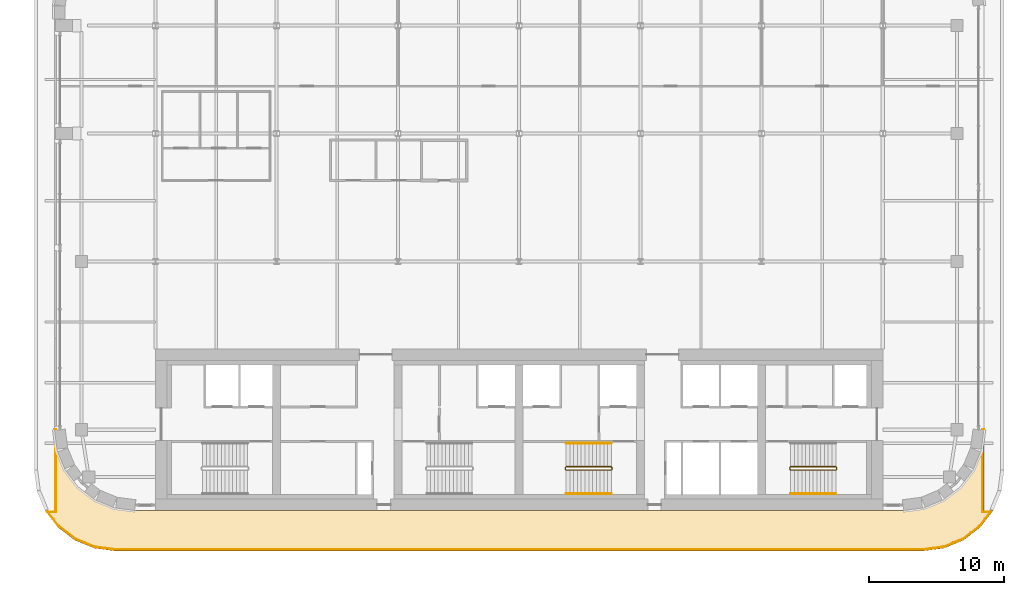
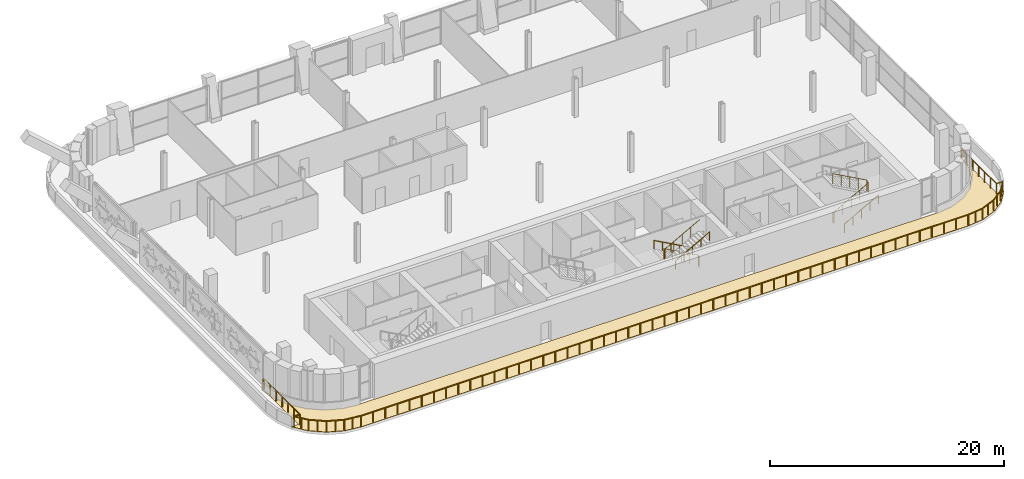
# One storey, part 18 of 23: 6 railings, 1 covering.
"""IFC4 building model written with IfcOpenShell, lengths in metres."""

from ifc_helpers import new_model, si_unit, direction, frame, origin, origin_2d, place, context, subcontext, project, spatial, polyline, circle, outline, extrude, material, layer, layer_set, type_object, element, save


model = new_model("IFC4")

# Units and contexts
model_context = context("Model", 3, precision=1e-05, world=origin(), true_north=direction((0.0, 1.0)))
body_context = subcontext(model_context, "Body", "Model", "MODEL_VIEW")
ifc_project = project(units=[si_unit("LENGTHUNIT", "METRE"), si_unit("AREAUNIT", "SQUARE_METRE"), si_unit("VOLUMEUNIT", "CUBIC_METRE"), si_unit("PLANEANGLEUNIT", "RADIAN"), si_unit("MASSUNIT", "GRAM", prefix="KILO")], contexts=[model_context])

# Site, building, storey
site_placement = place(None, origin())
site = spatial("IfcSite", under=ifc_project, at=site_placement, CompositionType="ELEMENT")
building_placement = place(site_placement, origin())
building = spatial("IfcBuilding", under=site, at=building_placement, Name="Zellij Exchange Tower", CompositionType="ELEMENT")
storey_placement = place(building_placement, frame((0.0, 0.0, 212.5)))
storey = spatial("IfcBuildingStorey", under=building, at=storey_placement, Name="L49", CompositionType="ELEMENT", Elevation=212.5)

# Railings
ifc_material_1 = material(Name="Stainless steel", Category="steel")
railing_type_1 = type_object("IfcRailingType", Name="CORE-RG stair guard", PredefinedType="GUARDRAIL", material=ifc_material_1)
railing_1_placement = place(storey_placement, frame((6.89990234375, -10.800048828125, 0.0)))
element("IfcRailing", 1, at=railing_1_placement, inside=storey, type_object=railing_type_1, Name="ST3 stair guard L49", PredefinedType="GUARDRAIL", context=body_context, shape_type="SweptSolid", body=[
    extrude(circle(Radius=0.02392578125, at=origin_2d()), frame((0.0, 0.0, 1.076171875), z_axis=(0.0, -1.0, 0.0), x_axis=(1.0, 0.0, 0.0)), (0.0, 0.0, 1.0), 0.14990234375),
    extrude(circle(Radius=0.02392578125, at=origin_2d()), frame((0.0, -0.14990234375, 1.076171875), z_axis=(-0.193691321961, 0.777613689637, 0.598164376644), x_axis=(-0.970351222016, -0.241699205484, 0.0)), (0.0, 0.0, 1.0), 0.257080078125),
    extrude(circle(Radius=0.02392578125, at=origin_2d()), frame((-0.0498046875, 0.050048828125, 1.22998046875), z_axis=(-0.876421534553, 0.0, 0.481544695509), x_axis=(0.0, -1.0, 0.0)), (0.0, 0.0, 1.0), 3.833984375),
    extrude(circle(Radius=0.02392578125, at=origin_2d()), frame((-3.409912109375, 0.050048828125, 3.076171875), z_axis=(-0.707106781187, -0.707106781187, 0.0), x_axis=(0.707106781187, -0.707106781187, 0.0)), (0.0, 0.0, 1.0), 0.07080078125),
    extrude(circle(Radius=0.02392578125, at=origin_2d()), frame((-3.4599609375, 0.0, 3.076171875), z_axis=(0.0, -1.0, 0.0), x_axis=(1.0, 0.0, 0.0)), (0.0, 0.0, 1.0), 0.14990234375),
    extrude(circle(Radius=0.02392578125, at=origin_2d()), frame((-3.4599609375, -0.14990234375, 3.076171875), z_axis=(0.295599637079, -0.295599637079, 0.908428152975), x_axis=(0.707106781187, 0.707106781187, 0.0)), (0.0, 0.0, 1.0), 0.16943359375),
    extrude(circle(Radius=0.02392578125, at=origin_2d()), frame((-3.409912109375, -0.199951171875, 3.22998046875), z_axis=(0.876421534553, 0.0, 0.481544695509), x_axis=(0.0, 1.0, 0.0)), (0.0, 0.0, 1.0), 3.833984375),
    extrude(circle(Radius=0.02099609375, at=origin_2d()), origin(), (0.0, 0.0, 1.0), 1.052001953125),
    extrude(circle(Radius=0.02099609375, at=origin_2d()), frame((0.0, -0.14990234375, 0.0)), (0.0, 0.0, 1.0), 1.052001953125),
    extrude(circle(Radius=0.02099609375, at=origin_2d()), frame((-0.0498046875, 0.050048828125, 0.15380859375)), (0.0, 0.0, 1.0), 1.052001953125),
    extrude(circle(Radius=0.02099609375, at=origin_2d()), frame((-0.889892578125, 0.050048828125, 0.615234375)), (0.0, 0.0, 1.0), 1.052001953125),
    extrude(circle(Radius=0.02099609375, at=origin_2d()), frame((-1.72998046875, 0.050048828125, 1.076904296875)), (0.0, 0.0, 1.0), 1.052001953125),
    extrude(circle(Radius=0.02099609375, at=origin_2d()), frame((-2.56982421875, 0.050048828125, 1.53857421875)), (0.0, 0.0, 1.0), 1.052001953125),
    extrude(circle(Radius=0.02099609375, at=origin_2d()), frame((-3.409912109375, 0.050048828125, 2.0)), (0.0, 0.0, 1.0), 1.052001953125),
    extrude(circle(Radius=0.02099609375, at=origin_2d()), frame((-3.4599609375, 0.0, 2.0)), (0.0, 0.0, 1.0), 1.052001953125),
    extrude(circle(Radius=0.02099609375, at=origin_2d()), frame((-3.4599609375, -0.14990234375, 2.0)), (0.0, 0.0, 1.0), 1.052001953125),
    extrude(circle(Radius=0.02099609375, at=origin_2d()), frame((-3.409912109375, -0.199951171875, 2.15380859375)), (0.0, 0.0, 1.0), 1.052001953125),
    extrude(circle(Radius=0.02099609375, at=origin_2d()), frame((-2.56982421875, -0.199951171875, 2.615234375)), (0.0, 0.0, 1.0), 1.052001953125),
    extrude(circle(Radius=0.02099609375, at=origin_2d()), frame((-1.72998046875, -0.199951171875, 3.076904296875)), (0.0, 0.0, 1.0), 1.052001953125),
    extrude(circle(Radius=0.02099609375, at=origin_2d()), frame((-0.889892578125, -0.199951171875, 3.53857421875)), (0.0, 0.0, 1.0), 1.052001953125),
    extrude(circle(Radius=0.02099609375, at=origin_2d()), frame((-0.0498046875, -0.199951171875, 4.0)), (0.0, 0.0, 1.0), 1.052001953125),
])
railing_2_placement = place(storey_placement, frame((20.10009765625, -10.949951171875, 0.0)))
element("IfcRailing", 2, at=railing_2_placement, inside=storey, type_object=railing_type_1, Name="ST4 stair guard L49", PredefinedType="GUARDRAIL", context=body_context, shape_type="SweptSolid", body=[
    extrude(circle(Radius=0.02392578125, at=origin_2d()), frame((0.0, 0.0, 1.076171875), z_axis=(0.0, 1.0, 0.0), x_axis=(-1.0, 0.0, 0.0)), (0.0, 0.0, 1.0), 0.14990234375),
    extrude(circle(Radius=0.02392578125, at=origin_2d()), frame((0.0, 0.14990234375, 1.076171875), z_axis=(0.193691321961, -0.777613689637, 0.598164376644), x_axis=(0.970351222016, 0.241699205484, 0.0)), (0.0, 0.0, 1.0), 0.257080078125),
    extrude(circle(Radius=0.02392578125, at=origin_2d()), frame((0.0498046875, -0.050048828125, 1.22998046875), z_axis=(0.876421534553, 0.0, 0.481544695509), x_axis=(0.0, 1.0, 0.0)), (0.0, 0.0, 1.0), 3.833984375),
    extrude(circle(Radius=0.02392578125, at=origin_2d()), frame((3.409912109375, -0.050048828125, 3.076171875), z_axis=(0.707106781187, 0.707106781187, 0.0), x_axis=(-0.707106781187, 0.707106781187, 0.0)), (0.0, 0.0, 1.0), 0.07080078125),
    extrude(circle(Radius=0.02392578125, at=origin_2d()), frame((3.4599609375, 0.0, 3.076171875), z_axis=(0.0, 1.0, 0.0), x_axis=(-1.0, 0.0, 0.0)), (0.0, 0.0, 1.0), 0.14990234375),
    extrude(circle(Radius=0.02392578125, at=origin_2d()), frame((3.4599609375, 0.14990234375, 3.076171875), z_axis=(-0.295599637079, 0.295599637079, 0.908428152975), x_axis=(-0.707106781187, -0.707106781187, 0.0)), (0.0, 0.0, 1.0), 0.16943359375),
    extrude(circle(Radius=0.02392578125, at=origin_2d()), frame((3.409912109375, 0.199951171875, 3.22998046875), z_axis=(-0.876421534553, 0.0, 0.481544695509), x_axis=(0.0, -1.0, 0.0)), (0.0, 0.0, 1.0), 3.833984375),
    extrude(circle(Radius=0.02099609375, at=origin_2d()), origin(), (0.0, 0.0, 1.0), 1.052001953125),
    extrude(circle(Radius=0.02099609375, at=origin_2d()), frame((0.0, 0.14990234375, 0.0)), (0.0, 0.0, 1.0), 1.052001953125),
    extrude(circle(Radius=0.02099609375, at=origin_2d()), frame((0.0498046875, -0.050048828125, 0.15380859375)), (0.0, 0.0, 1.0), 1.052001953125),
    extrude(circle(Radius=0.02099609375, at=origin_2d()), frame((0.889892578125, -0.050048828125, 0.615234375)), (0.0, 0.0, 1.0), 1.052001953125),
    extrude(circle(Radius=0.02099609375, at=origin_2d()), frame((1.72998046875, -0.050048828125, 1.076904296875)), (0.0, 0.0, 1.0), 1.052001953125),
    extrude(circle(Radius=0.02099609375, at=origin_2d()), frame((2.56982421875, -0.050048828125, 1.53857421875)), (0.0, 0.0, 1.0), 1.052001953125),
    extrude(circle(Radius=0.02099609375, at=origin_2d()), frame((3.409912109375, -0.050048828125, 2.0)), (0.0, 0.0, 1.0), 1.052001953125),
    extrude(circle(Radius=0.02099609375, at=origin_2d()), frame((3.4599609375, 0.0, 2.0)), (0.0, 0.0, 1.0), 1.052001953125),
    extrude(circle(Radius=0.02099609375, at=origin_2d()), frame((3.4599609375, 0.14990234375, 2.0)), (0.0, 0.0, 1.0), 1.052001953125),
    extrude(circle(Radius=0.02099609375, at=origin_2d()), frame((3.409912109375, 0.199951171875, 2.15380859375)), (0.0, 0.0, 1.0), 1.052001953125),
    extrude(circle(Radius=0.02099609375, at=origin_2d()), frame((2.56982421875, 0.199951171875, 2.615234375)), (0.0, 0.0, 1.0), 1.052001953125),
    extrude(circle(Radius=0.02099609375, at=origin_2d()), frame((1.72998046875, 0.199951171875, 3.076904296875)), (0.0, 0.0, 1.0), 1.052001953125),
    extrude(circle(Radius=0.02099609375, at=origin_2d()), frame((0.889892578125, 0.199951171875, 3.53857421875)), (0.0, 0.0, 1.0), 1.052001953125),
    extrude(circle(Radius=0.02099609375, at=origin_2d()), frame((0.0498046875, 0.199951171875, 4.0)), (0.0, 0.0, 1.0), 1.052001953125),
])
railing_type_2 = type_object("IfcRailingType", Name="CORE-RH stair handrail", PredefinedType="HANDRAIL", material=ifc_material_1)
railing_3_placement = place(storey_placement, frame((6.85009765625, -9.0, 0.15380859375)))
element("IfcRailing", 3, at=railing_3_placement, inside=storey, type_object=railing_type_2, Name="ST3 stair handrail L49", PredefinedType="HANDRAIL", context=body_context, shape_type="SweptSolid", body=[
    extrude(circle(Radius=0.02392578125, at=origin_2d()), frame((0.0, 0.0, 0.8759765625), z_axis=(-0.876421534553, 0.0, 0.481544695509), x_axis=(0.0, -1.0, 0.0)), (0.0, 0.0, 1.0), 3.833984375),
    extrude(circle(Radius=0.02099609375, at=origin_2d()), origin(), (0.0, 0.0, 1.0), 0.851806640625),
    extrude(circle(Radius=0.02099609375, at=origin_2d()), frame((-0.840087890625, 0.0, 0.46142578125)), (0.0, 0.0, 1.0), 0.851806640625),
    extrude(circle(Radius=0.02099609375, at=origin_2d()), frame((-1.68017578125, 0.0, 0.923095703125)), (0.0, 0.0, 1.0), 0.851806640625),
    extrude(circle(Radius=0.02099609375, at=origin_2d()), frame((-2.52001953125, 0.0, 1.384765625)), (0.0, 0.0, 1.0), 0.851806640625),
    extrude(circle(Radius=0.02099609375, at=origin_2d()), frame((-3.360107421875, 0.0, 1.84619140625)), (0.0, 0.0, 1.0), 0.851806640625),
])
for number, where, name in (
    (4, (3.489990234375, -12.75, 2.15380859375), "ST3 stair handrail L49"),
    (5, (20.14990234375, -12.75, 0.15380859375), "ST4 stair handrail L49"),
):
    element("IfcRailing", number, at=place(storey_placement, frame(where)), inside=storey, type_object=railing_type_2, Name=name, PredefinedType="HANDRAIL", context=body_context, shape_type="SweptSolid", body=[
        extrude(circle(Radius=0.02392578125, at=origin_2d()), frame((0.0, 0.0, 0.8759765625), z_axis=(0.876421534553, 0.0, 0.481544695509), x_axis=(0.0, 1.0, 0.0)), (0.0, 0.0, 1.0), 3.833984375),
        extrude(circle(Radius=0.02099609375, at=origin_2d()), origin(), (0.0, 0.0, 1.0), 0.851806640625),
        extrude(circle(Radius=0.02099609375, at=origin_2d()), frame((0.840087890625, 0.0, 0.46142578125)), (0.0, 0.0, 1.0), 0.851806640625),
        extrude(circle(Radius=0.02099609375, at=origin_2d()), frame((1.68017578125, 0.0, 0.923095703125)), (0.0, 0.0, 1.0), 0.851806640625),
        extrude(circle(Radius=0.02099609375, at=origin_2d()), frame((2.52001953125, 0.0, 1.384765625)), (0.0, 0.0, 1.0), 0.851806640625),
        extrude(circle(Radius=0.02099609375, at=origin_2d()), frame((3.360107421875, 0.0, 1.84619140625)), (0.0, 0.0, 1.0), 0.851806640625),
    ])
ifc_material_2 = material(Name="Bronze-finished aluminium", Category="aluminium")
railing_type_3 = type_object("IfcRailingType", Name="ENV-GR1 Terrace guard", PredefinedType="GUARDRAIL", material=ifc_material_2)
railing_4_placement = place(storey_placement, frame((-34.5, -8.000732421875, 0.0)))
element("IfcRailing", 6, at=railing_4_placement, inside=storey, type_object=railing_type_3, Name="Terrace guard", PredefinedType="GUARDRAIL", context=body_context, shape_type="SweptSolid", body=[
    extrude(circle(Radius=0.02490234375, at=origin_2d()), frame((0.0, 0.0, 1.0751953125), z_axis=(1.0, 0.0, 0.0), x_axis=(0.0, 1.0, 0.0)), (0.0, 0.0, 1.0), 0.10009765625),
    extrude(circle(Radius=0.02490234375, at=origin_2d()), frame((0.10009765625, 0.0, 1.0751953125), z_axis=(0.0, -1.0, 0.0), x_axis=(1.0, 0.0, 0.0)), (0.0, 0.0, 1.0), 6.099365234375),
    extrude(circle(Radius=0.02490234375, at=origin_2d()), frame((0.10009765625, -6.099365234375, 1.0751953125), z_axis=(-1.0, 0.0, 0.0), x_axis=(0.0, -1.0, 0.0)), (0.0, 0.0, 1.0), 0.593505859375),
    extrude(circle(Radius=0.02490234375, at=origin_2d()), frame((-0.493408203125, -6.099365234375, 1.0751953125), z_axis=(0.608757921377, -0.79335603178, 0.0), x_axis=(0.79335603178, 0.608757921377, 0.0)), (0.0, 0.0, 1.0), 1.350341796875),
    extrude(circle(Radius=0.02490234375, at=origin_2d()), frame((0.32861328125, -7.170654296875, 1.0751953125), z_axis=(0.793330694412, -0.608790940556, 0.0), x_axis=(0.608790940556, 0.793330694412, 0.0)), (0.0, 0.0, 1.0), 1.5400390625),
    extrude(circle(Radius=0.02490234375, at=origin_2d()), frame((1.55029296875, -8.108154296875, 1.0751953125), z_axis=(0.923881586142, -0.382678474425, 0.0), x_axis=(0.382678474425, 0.923881586142, 0.0)), (0.0, 0.0, 1.0), 1.5400390625),
    extrude(circle(Radius=0.02490234375, at=origin_2d()), frame((2.97314453125, -8.697509765625, 1.0751953125), z_axis=(0.991463426777, -0.130385096405, 0.0), x_axis=(0.130385096405, 0.991463426777, 0.0)), (0.0, 0.0, 1.0), 1.546630859375),
    extrude(circle(Radius=0.02490234375, at=origin_2d()), frame((4.506591796875, -8.899169921875, 1.0751953125), z_axis=(1.0, 0.0, 0.0), x_axis=(0.0, 1.0, 0.0)), (0.0, 0.0, 1.0), 59.98681640625),
    extrude(circle(Radius=0.02490234375, at=origin_2d()), frame((64.493408203125, -8.899169921875, 1.0751953125), z_axis=(0.991463426777, 0.130385096405, 0.0), x_axis=(-0.130385096405, 0.991463426777, 0.0)), (0.0, 0.0, 1.0), 1.546630859375),
    extrude(circle(Radius=0.02490234375, at=origin_2d()), frame((66.02685546875, -8.697509765625, 1.0751953125), z_axis=(0.923881586142, 0.382678474425, 0.0), x_axis=(-0.382678474425, 0.923881586142, 0.0)), (0.0, 0.0, 1.0), 1.5400390625),
    extrude(circle(Radius=0.02490234375, at=origin_2d()), frame((67.44970703125, -8.108154296875, 1.0751953125), z_axis=(0.793330694412, 0.608790940556, 0.0), x_axis=(-0.608790940556, 0.793330694412, 0.0)), (0.0, 0.0, 1.0), 1.5400390625),
    extrude(circle(Radius=0.02490234375, at=origin_2d()), frame((68.67138671875, -7.170654296875, 1.0751953125), z_axis=(0.608757921377, 0.79335603178, 0.0), x_axis=(-0.79335603178, 0.608757921377, 0.0)), (0.0, 0.0, 1.0), 1.350341796875),
    extrude(circle(Radius=0.02490234375, at=origin_2d()), frame((69.493408203125, -6.099365234375, 1.0751953125), z_axis=(-1.0, 0.0, 0.0), x_axis=(0.0, -1.0, 0.0)), (0.0, 0.0, 1.0), 0.593505859375),
    extrude(circle(Radius=0.02490234375, at=origin_2d()), frame((68.89990234375, -6.099365234375, 1.0751953125), z_axis=(0.0, 1.0, 0.0), x_axis=(-1.0, 0.0, 0.0)), (0.0, 0.0, 1.0), 6.099365234375),
    extrude(circle(Radius=0.02490234375, at=origin_2d()), frame((68.89990234375, 0.0, 1.0751953125), z_axis=(1.0, 0.0, 0.0), x_axis=(0.0, 1.0, 0.0)), (0.0, 0.0, 1.0), 0.10009765625),
    extrude(circle(Radius=0.030029296875, at=origin_2d()), origin(), (0.0, 0.0, 1.0), 1.050048828125),
    extrude(circle(Radius=0.030029296875, at=origin_2d()), frame((0.10009765625, 0.0, 0.0)), (0.0, 0.0, 1.0), 1.050048828125),
    extrude(circle(Radius=0.030029296875, at=origin_2d()), frame((0.10009765625, -1.0166015625, 0.0)), (0.0, 0.0, 1.0), 1.050048828125),
    extrude(circle(Radius=0.030029296875, at=origin_2d()), frame((0.10009765625, -2.033203125, 0.0)), (0.0, 0.0, 1.0), 1.050048828125),
    extrude(circle(Radius=0.030029296875, at=origin_2d()), frame((0.10009765625, -3.0498046875, 0.0)), (0.0, 0.0, 1.0), 1.050048828125),
    extrude(circle(Radius=0.030029296875, at=origin_2d()), frame((0.10009765625, -4.066162109375, 0.0)), (0.0, 0.0, 1.0), 1.050048828125),
    extrude(circle(Radius=0.030029296875, at=origin_2d()), frame((0.10009765625, -5.082763671875, 0.0)), (0.0, 0.0, 1.0), 1.050048828125),
    extrude(circle(Radius=0.030029296875, at=origin_2d()), frame((0.10009765625, -6.099365234375, 0.0)), (0.0, 0.0, 1.0), 1.050048828125),
    extrude(circle(Radius=0.030029296875, at=origin_2d()), frame((-0.493408203125, -6.099365234375, 0.0)), (0.0, 0.0, 1.0), 1.050048828125),
    extrude(circle(Radius=0.030029296875, at=origin_2d()), frame((-0.08251953125, -6.635009765625, 0.0)), (0.0, 0.0, 1.0), 1.050048828125),
    extrude(circle(Radius=0.030029296875, at=origin_2d()), frame((0.32861328125, -7.170654296875, 0.0)), (0.0, 0.0, 1.0), 1.050048828125),
    extrude(circle(Radius=0.030029296875, at=origin_2d()), frame((0.939453125, -7.639404296875, 0.0)), (0.0, 0.0, 1.0), 1.050048828125),
    extrude(circle(Radius=0.030029296875, at=origin_2d()), frame((1.55029296875, -8.108154296875, 0.0)), (0.0, 0.0, 1.0), 1.050048828125),
    extrude(circle(Radius=0.030029296875, at=origin_2d()), frame((2.26171875, -8.40283203125, 0.0)), (0.0, 0.0, 1.0), 1.050048828125),
    extrude(circle(Radius=0.030029296875, at=origin_2d()), frame((2.97314453125, -8.697509765625, 0.0)), (0.0, 0.0, 1.0), 1.050048828125),
    extrude(circle(Radius=0.030029296875, at=origin_2d()), frame((3.73974609375, -8.79833984375, 0.0)), (0.0, 0.0, 1.0), 1.050048828125),
    extrude(circle(Radius=0.030029296875, at=origin_2d()), frame((4.506591796875, -8.899169921875, 0.0)), (0.0, 0.0, 1.0), 1.050048828125),
    extrude(circle(Radius=0.030029296875, at=origin_2d()), frame((5.706298828125, -8.899169921875, 0.0)), (0.0, 0.0, 1.0), 1.050048828125),
    extrude(circle(Radius=0.030029296875, at=origin_2d()), frame((6.906005859375, -8.899169921875, 0.0)), (0.0, 0.0, 1.0), 1.050048828125),
    extrude(circle(Radius=0.030029296875, at=origin_2d()), frame((8.105712890625, -8.899169921875, 0.0)), (0.0, 0.0, 1.0), 1.050048828125),
    extrude(circle(Radius=0.030029296875, at=origin_2d()), frame((9.305419921875, -8.899169921875, 0.0)), (0.0, 0.0, 1.0), 1.050048828125),
    extrude(circle(Radius=0.030029296875, at=origin_2d()), frame((10.50537109375, -8.899169921875, 0.0)), (0.0, 0.0, 1.0), 1.050048828125),
    extrude(circle(Radius=0.030029296875, at=origin_2d()), frame((11.705078125, -8.899169921875, 0.0)), (0.0, 0.0, 1.0), 1.050048828125),
    extrude(circle(Radius=0.030029296875, at=origin_2d()), frame((12.90478515625, -8.899169921875, 0.0)), (0.0, 0.0, 1.0), 1.050048828125),
    extrude(circle(Radius=0.030029296875, at=origin_2d()), frame((14.1044921875, -8.899169921875, 0.0)), (0.0, 0.0, 1.0), 1.050048828125),
    extrude(circle(Radius=0.030029296875, at=origin_2d()), frame((15.30419921875, -8.899169921875, 0.0)), (0.0, 0.0, 1.0), 1.050048828125),
    extrude(circle(Radius=0.030029296875, at=origin_2d()), frame((16.50390625, -8.899169921875, 0.0)), (0.0, 0.0, 1.0), 1.050048828125),
    extrude(circle(Radius=0.030029296875, at=origin_2d()), frame((17.70361328125, -8.899169921875, 0.0)), (0.0, 0.0, 1.0), 1.050048828125),
    extrude(circle(Radius=0.030029296875, at=origin_2d()), frame((18.9033203125, -8.899169921875, 0.0)), (0.0, 0.0, 1.0), 1.050048828125),
    extrude(circle(Radius=0.030029296875, at=origin_2d()), frame((20.103271484375, -8.899169921875, 0.0)), (0.0, 0.0, 1.0), 1.050048828125),
    extrude(circle(Radius=0.030029296875, at=origin_2d()), frame((21.302978515625, -8.899169921875, 0.0)), (0.0, 0.0, 1.0), 1.050048828125),
    extrude(circle(Radius=0.030029296875, at=origin_2d()), frame((22.502685546875, -8.899169921875, 0.0)), (0.0, 0.0, 1.0), 1.050048828125),
    extrude(circle(Radius=0.030029296875, at=origin_2d()), frame((23.702392578125, -8.899169921875, 0.0)), (0.0, 0.0, 1.0), 1.050048828125),
    extrude(circle(Radius=0.030029296875, at=origin_2d()), frame((24.902099609375, -8.899169921875, 0.0)), (0.0, 0.0, 1.0), 1.050048828125),
    extrude(circle(Radius=0.030029296875, at=origin_2d()), frame((26.101806640625, -8.899169921875, 0.0)), (0.0, 0.0, 1.0), 1.050048828125),
    extrude(circle(Radius=0.030029296875, at=origin_2d()), frame((27.301513671875, -8.899169921875, 0.0)), (0.0, 0.0, 1.0), 1.050048828125),
    extrude(circle(Radius=0.030029296875, at=origin_2d()), frame((28.501220703125, -8.899169921875, 0.0)), (0.0, 0.0, 1.0), 1.050048828125),
    extrude(circle(Radius=0.030029296875, at=origin_2d()), frame((29.701171875, -8.899169921875, 0.0)), (0.0, 0.0, 1.0), 1.050048828125),
    extrude(circle(Radius=0.030029296875, at=origin_2d()), frame((30.90087890625, -8.899169921875, 0.0)), (0.0, 0.0, 1.0), 1.050048828125),
    extrude(circle(Radius=0.030029296875, at=origin_2d()), frame((32.1005859375, -8.899169921875, 0.0)), (0.0, 0.0, 1.0), 1.050048828125),
    extrude(circle(Radius=0.030029296875, at=origin_2d()), frame((33.30029296875, -8.899169921875, 0.0)), (0.0, 0.0, 1.0), 1.050048828125),
    extrude(circle(Radius=0.030029296875, at=origin_2d()), frame((34.5, -8.899169921875, 0.0)), (0.0, 0.0, 1.0), 1.050048828125),
    extrude(circle(Radius=0.030029296875, at=origin_2d()), frame((35.69970703125, -8.899169921875, 0.0)), (0.0, 0.0, 1.0), 1.050048828125),
    extrude(circle(Radius=0.030029296875, at=origin_2d()), frame((36.8994140625, -8.899169921875, 0.0)), (0.0, 0.0, 1.0), 1.050048828125),
    extrude(circle(Radius=0.030029296875, at=origin_2d()), frame((38.09912109375, -8.899169921875, 0.0)), (0.0, 0.0, 1.0), 1.050048828125),
    extrude(circle(Radius=0.030029296875, at=origin_2d()), frame((39.298828125, -8.899169921875, 0.0)), (0.0, 0.0, 1.0), 1.050048828125),
    extrude(circle(Radius=0.030029296875, at=origin_2d()), frame((40.498779296875, -8.899169921875, 0.0)), (0.0, 0.0, 1.0), 1.050048828125),
    extrude(circle(Radius=0.030029296875, at=origin_2d()), frame((41.698486328125, -8.899169921875, 0.0)), (0.0, 0.0, 1.0), 1.050048828125),
    extrude(circle(Radius=0.030029296875, at=origin_2d()), frame((42.898193359375, -8.899169921875, 0.0)), (0.0, 0.0, 1.0), 1.050048828125),
    extrude(circle(Radius=0.030029296875, at=origin_2d()), frame((44.097900390625, -8.899169921875, 0.0)), (0.0, 0.0, 1.0), 1.050048828125),
    extrude(circle(Radius=0.030029296875, at=origin_2d()), frame((45.297607421875, -8.899169921875, 0.0)), (0.0, 0.0, 1.0), 1.050048828125),
    extrude(circle(Radius=0.030029296875, at=origin_2d()), frame((46.497314453125, -8.899169921875, 0.0)), (0.0, 0.0, 1.0), 1.050048828125),
    extrude(circle(Radius=0.030029296875, at=origin_2d()), frame((47.697021484375, -8.899169921875, 0.0)), (0.0, 0.0, 1.0), 1.050048828125),
    extrude(circle(Radius=0.030029296875, at=origin_2d()), frame((48.896728515625, -8.899169921875, 0.0)), (0.0, 0.0, 1.0), 1.050048828125),
    extrude(circle(Radius=0.030029296875, at=origin_2d()), frame((50.0966796875, -8.899169921875, 0.0)), (0.0, 0.0, 1.0), 1.050048828125),
    extrude(circle(Radius=0.030029296875, at=origin_2d()), frame((51.29638671875, -8.899169921875, 0.0)), (0.0, 0.0, 1.0), 1.050048828125),
    extrude(circle(Radius=0.030029296875, at=origin_2d()), frame((52.49609375, -8.899169921875, 0.0)), (0.0, 0.0, 1.0), 1.050048828125),
    extrude(circle(Radius=0.030029296875, at=origin_2d()), frame((53.69580078125, -8.899169921875, 0.0)), (0.0, 0.0, 1.0), 1.050048828125),
    extrude(circle(Radius=0.030029296875, at=origin_2d()), frame((54.8955078125, -8.899169921875, 0.0)), (0.0, 0.0, 1.0), 1.050048828125),
    extrude(circle(Radius=0.030029296875, at=origin_2d()), frame((56.09521484375, -8.899169921875, 0.0)), (0.0, 0.0, 1.0), 1.050048828125),
    extrude(circle(Radius=0.030029296875, at=origin_2d()), frame((57.294921875, -8.899169921875, 0.0)), (0.0, 0.0, 1.0), 1.050048828125),
    extrude(circle(Radius=0.030029296875, at=origin_2d()), frame((58.49462890625, -8.899169921875, 0.0)), (0.0, 0.0, 1.0), 1.050048828125),
    extrude(circle(Radius=0.030029296875, at=origin_2d()), frame((59.694580078125, -8.899169921875, 0.0)), (0.0, 0.0, 1.0), 1.050048828125),
    extrude(circle(Radius=0.030029296875, at=origin_2d()), frame((60.894287109375, -8.899169921875, 0.0)), (0.0, 0.0, 1.0), 1.050048828125),
    extrude(circle(Radius=0.030029296875, at=origin_2d()), frame((62.093994140625, -8.899169921875, 0.0)), (0.0, 0.0, 1.0), 1.050048828125),
    extrude(circle(Radius=0.030029296875, at=origin_2d()), frame((63.293701171875, -8.899169921875, 0.0)), (0.0, 0.0, 1.0), 1.050048828125),
    extrude(circle(Radius=0.030029296875, at=origin_2d()), frame((64.493408203125, -8.899169921875, 0.0)), (0.0, 0.0, 1.0), 1.050048828125),
    extrude(circle(Radius=0.030029296875, at=origin_2d()), frame((65.26025390625, -8.79833984375, 0.0)), (0.0, 0.0, 1.0), 1.050048828125),
    extrude(circle(Radius=0.030029296875, at=origin_2d()), frame((66.02685546875, -8.697509765625, 0.0)), (0.0, 0.0, 1.0), 1.050048828125),
    extrude(circle(Radius=0.030029296875, at=origin_2d()), frame((66.73828125, -8.40283203125, 0.0)), (0.0, 0.0, 1.0), 1.050048828125),
    extrude(circle(Radius=0.030029296875, at=origin_2d()), frame((67.44970703125, -8.108154296875, 0.0)), (0.0, 0.0, 1.0), 1.050048828125),
    extrude(circle(Radius=0.030029296875, at=origin_2d()), frame((68.060546875, -7.639404296875, 0.0)), (0.0, 0.0, 1.0), 1.050048828125),
    extrude(circle(Radius=0.030029296875, at=origin_2d()), frame((68.67138671875, -7.170654296875, 0.0)), (0.0, 0.0, 1.0), 1.050048828125),
    extrude(circle(Radius=0.030029296875, at=origin_2d()), frame((69.08251953125, -6.635009765625, 0.0)), (0.0, 0.0, 1.0), 1.050048828125),
    extrude(circle(Radius=0.030029296875, at=origin_2d()), frame((69.493408203125, -6.099365234375, 0.0)), (0.0, 0.0, 1.0), 1.050048828125),
    extrude(circle(Radius=0.030029296875, at=origin_2d()), frame((68.89990234375, -6.099365234375, 0.0)), (0.0, 0.0, 1.0), 1.050048828125),
    extrude(circle(Radius=0.030029296875, at=origin_2d()), frame((68.89990234375, -5.082763671875, 0.0)), (0.0, 0.0, 1.0), 1.050048828125),
    extrude(circle(Radius=0.030029296875, at=origin_2d()), frame((68.89990234375, -4.066162109375, 0.0)), (0.0, 0.0, 1.0), 1.050048828125),
    extrude(circle(Radius=0.030029296875, at=origin_2d()), frame((68.89990234375, -3.0498046875, 0.0)), (0.0, 0.0, 1.0), 1.050048828125),
    extrude(circle(Radius=0.030029296875, at=origin_2d()), frame((68.89990234375, -2.033203125, 0.0)), (0.0, 0.0, 1.0), 1.050048828125),
    extrude(circle(Radius=0.030029296875, at=origin_2d()), frame((68.89990234375, -1.0166015625, 0.0)), (0.0, 0.0, 1.0), 1.050048828125),
    extrude(circle(Radius=0.030029296875, at=origin_2d()), frame((68.89990234375, 0.0, 0.0)), (0.0, 0.0, 1.0), 1.050048828125),
    extrude(circle(Radius=0.030029296875, at=origin_2d()), frame((69.0, 0.0, 0.0)), (0.0, 0.0, 1.0), 1.050048828125),
])

# Covering
ifc_material_3 = material(Name="Limestone paving", Category="masonry")
ifc_layer = layer(ifc_material_3, 0.0400390625)
ifc_layer_set = layer_set([ifc_layer], Name="Limestone paving")
covering_type = type_object("IfcCoveringType", Name="ENV-PV2 Terrace paving 40", PredefinedType="FLOORING", material=ifc_layer_set)
covering_placement = place(storey_placement, frame((0.0, 0.0, -0.0400390625)))
element("IfcCovering", 7, at=covering_placement, inside=storey, type_object=covering_type, Name="Terrace paving", PredefinedType="FLOORING", context=body_context, shape_type="SweptSolid", body=[
    extrude(outline(polyline([(-34.24267578125, -15.24267578125), (-33.0, -16.1962890625), (-31.552978515625, -16.795654296875), (-30.0, -17.0), (30.0, -17.0), (31.552978515625, -16.795654296875), (33.0, -16.1962890625), (34.24267578125, -15.24267578125), (35.1962890625, -14.0), (34.5, -14.0), (34.5, -8.0), (34.295654296875, -9.552978515625), (33.6962890625, -11.0), (32.74267578125, -12.24267578125), (31.5, -13.1962890625), (30.052978515625, -13.795654296875), (28.5, -14.0), (-28.5, -14.0), (-30.052978515625, -13.795654296875), (-31.5, -13.1962890625), (-32.74267578125, -12.24267578125), (-33.6962890625, -11.0), (-34.295654296875, -9.552978515625), (-34.5, -8.0), (-34.5, -14.0), (-35.1962890625, -14.0), (-34.24267578125, -15.24267578125)])), origin(), (0.0, 0.0, 1.0), 0.0400390625),
])

save(model, "model.ifc")
